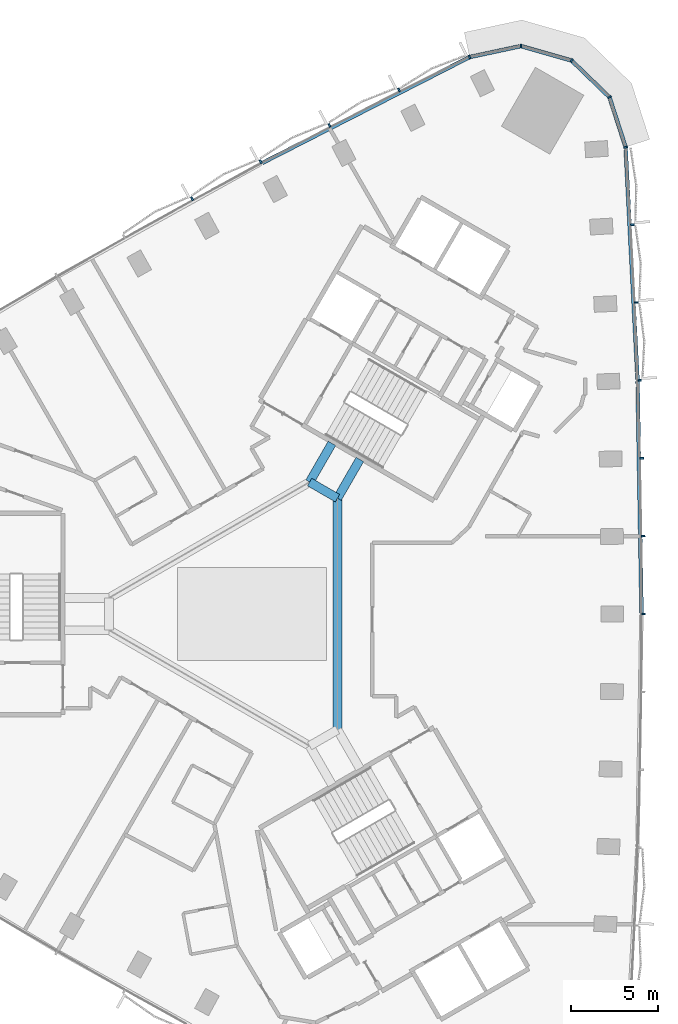
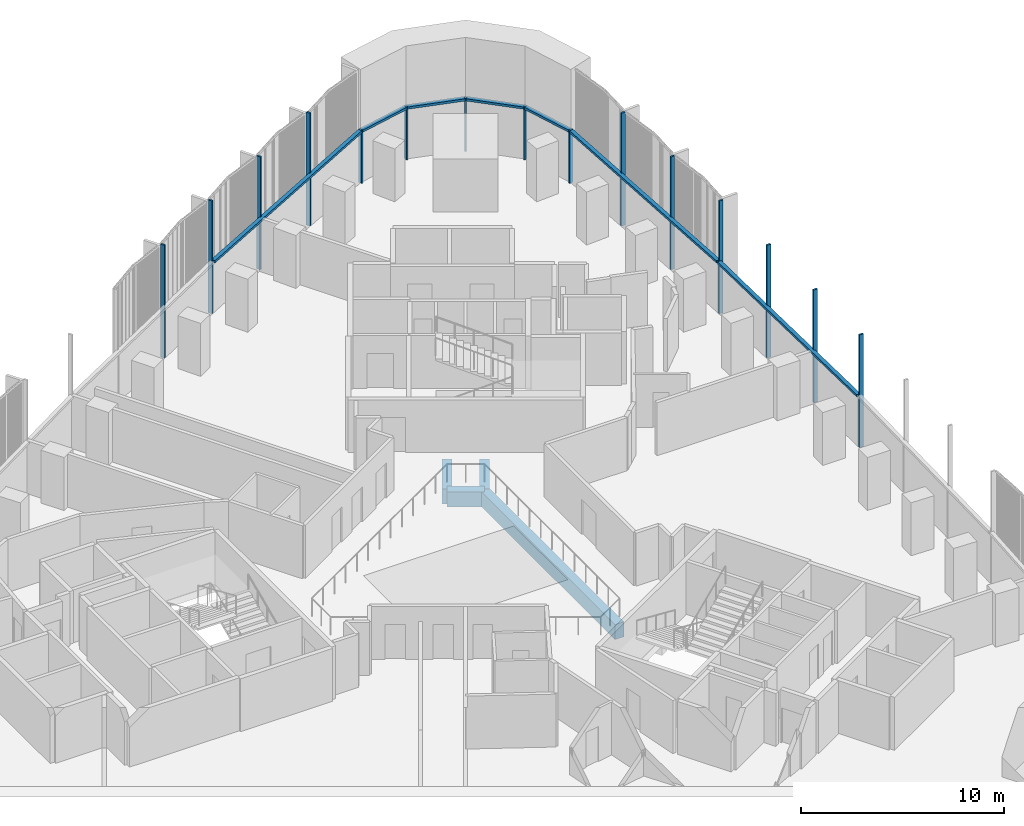
# One storey, part 5 of 15: 22 members, 4 beams, 2 elements without a shape of their own.
"""IFC4 building model written with IfcOpenShell, lengths in metres."""

import ifcopenshell
import ifcopenshell.guid

model = None  # the IFC model being written
_history = None  # IfcOwnerHistory: only IFC2X3 demands one
_inside = {}  # id of a spatial element -> (the spatial element, [elements in it])
_under = {}  # id of a project, library or spatial element -> (it, [spatial elements below it])
_declared = {}  # id of a project -> (the project, [libraries it declares])
_typed = {}  # id of a type object -> (the type object, [elements of that type])
_made_of = {}  # id of a material, layer set ... -> (it, [elements and type objects made of it])


def new_model(schema):
    """Start an empty IFC model of exactly this schema.

    Asked for "IFC4X3", IfcOpenShell would pick the latest addendum, in which some entities
    have other attributes; the version numbers below select the first issue.
    IFC2X3 requires an IfcOwnerHistory on every rooted entity: one is made here for all.
    """
    global model, _history
    if schema == "IFC4X3":
        model = ifcopenshell.file(schema_version=(4, 3, 0, 0))
    else:
        model = ifcopenshell.file(schema=schema)
    _inside.clear()
    _under.clear()
    _declared.clear()
    _typed.clear()
    _made_of.clear()
    _history = None
    if model.schema == "IFC2X3":
        org = make("IfcOrganization", Name="unknown")
        user = make(
            "IfcPersonAndOrganization",
            ThePerson=make("IfcPerson", FamilyName="unknown"),
            TheOrganization=org,
        )
        app = make(
            "IfcApplication",
            ApplicationDeveloper=org,
            Version="unknown",
            ApplicationFullName="unknown",
            ApplicationIdentifier="unknown",
        )
        _history = make(
            "IfcOwnerHistory",
            OwningUser=user,
            OwningApplication=app,
            ChangeAction="ADDED",
            CreationDate=0,
        )
    return model


def make(cls, **values):
    """One entity of the class cls with the attributes given. An attribute that is None is left unset."""
    return model.create_entity(
        cls, **{name: value for name, value in values.items() if value is not None}
    )


def rooted(cls, **values):
    """An entity with a GlobalId (a new one), such as an element, a storey or a relation."""
    return make(cls, GlobalId=ifcopenshell.guid.new(), OwnerHistory=_history, **values)


def si_unit(unit_type, name, prefix=None):
    """IfcSIUnit, for example si_unit("LENGTHUNIT", "METRE", prefix="MILLI")."""
    return make("IfcSIUnit", UnitType=unit_type, Prefix=prefix, Name=name)


def assignment(units):
    """IfcUnitAssignment: the units of a project."""
    return None if units is None else make("IfcUnitAssignment", Units=units)


def point(xyz):
    """IfcCartesianPoint."""
    return None if xyz is None else make("IfcCartesianPoint", Coordinates=xyz)


def direction(xyz):
    """IfcDirection."""
    return None if xyz is None else make("IfcDirection", DirectionRatios=xyz)


def frame(location, z_axis=None, x_axis=None):
    """IfcAxis2Placement3D, a coordinate frame: its origin and axes. An axis left out is left unset."""
    return make(
        "IfcAxis2Placement3D",
        Location=point(location),
        Axis=direction(z_axis),
        RefDirection=direction(x_axis),
    )


def frame_2d(location, x_axis=None):
    """IfcAxis2Placement2D, a coordinate frame in the plane: its origin and x axis."""
    return make(
        "IfcAxis2Placement2D", Location=point(location), RefDirection=direction(x_axis)
    )


def origin():
    """The frame at (0, 0, 0) with its axes left unset."""
    return frame((0.0, 0.0, 0.0))


def origin_2d():
    """The frame at (0, 0) in the plane with its x axis left unset."""
    return frame_2d((0.0, 0.0))


def place(relative_to, where):
    """IfcLocalPlacement: puts the frame where relative to a parent placement (None: the world)."""
    return make(
        "IfcLocalPlacement", PlacementRelTo=relative_to, RelativePlacement=where
    )


def context(
    kind, dimensions, precision=None, world=None, true_north=None, identifier=None
):
    """IfcGeometricRepresentationContext, for example the 3D "Model" context."""
    return make(
        "IfcGeometricRepresentationContext",
        ContextIdentifier=identifier,
        ContextType=kind,
        CoordinateSpaceDimension=dimensions,
        Precision=precision,
        WorldCoordinateSystem=world,
        TrueNorth=true_north,
    )


def subcontext(parent, identifier, kind, view, scale=None):
    """IfcGeometricRepresentationSubContext, for example "Body" below "Model"."""
    return make(
        "IfcGeometricRepresentationSubContext",
        ContextIdentifier=identifier,
        ContextType=kind,
        ParentContext=parent,
        TargetScale=scale,
        TargetView=view,
    )


def project(units=None, contexts=None):
    """IfcProject with its units and contexts."""
    return rooted(
        "IfcProject",
        Name="project",
        RepresentationContexts=contexts,
        UnitsInContext=assignment(units),
    )


def spatial(cls, under=None, at=None, **own):
    """A site, building, storey or space (cls), placed at a placement, below another one or the project."""
    s = rooted(cls, ObjectPlacement=at, **own)
    if under is not None:
        _under.setdefault(under.id(), (under, []))[1].append(s)
    return s


def profile(cls, at=None, kind="AREA", **sizes):
    """A parametric profile (cls). Its sizes go by their IFC names, for example OverallWidth=200.0."""
    return make(cls, ProfileType=kind, Position=at, **sizes)


def rectangle(**sizes):
    """IfcRectangleProfileDef."""
    return profile("IfcRectangleProfileDef", **sizes)


def extrude(swept, where, along, depth):
    """IfcExtrudedAreaSolid: the profile swept, set in the frame where, extruded along a direction by depth."""
    return make(
        "IfcExtrudedAreaSolid",
        SweptArea=swept,
        Position=where,
        ExtrudedDirection=direction(along),
        Depth=depth,
    )


def shape(context_of_items, identifier, shape_type, items):
    """IfcShapeRepresentation: the items that make up one representation, for example the "Body"."""
    return make(
        "IfcShapeRepresentation",
        ContextOfItems=context_of_items,
        RepresentationIdentifier=identifier,
        RepresentationType=shape_type,
        Items=items,
    )


def material(Name=None, Category=None):
    """IfcMaterial."""
    return make("IfcMaterial", Name=Name, Category=Category)


def material_profile(
    of_material, cross_section, Name=None, Category=None, Priority=None
):
    """IfcMaterialProfile: a cross section and its material."""
    return make(
        "IfcMaterialProfile",
        Name=Name,
        Material=of_material,
        Profile=cross_section,
        Priority=Priority,
        Category=Category,
    )


def profile_set(profiles, Name=None, composite=None):
    """IfcMaterialProfileSet."""
    return make(
        "IfcMaterialProfileSet",
        Name=Name,
        MaterialProfiles=profiles,
        CompositeProfile=composite,
    )


def made_of(thing, what):
    """Note that an element or type object is made of a material, layer set ...; save() writes the relation."""
    if what is not None:
        _made_of.setdefault(what.id(), (what, []))[1].append(thing)
    return thing


def type_object(cls, material=None, **own):
    """A type object (cls), such as IfcWallType, which elements share."""
    return made_of(rooted(cls, **own), material)


def element(
    cls,
    number,
    at=None,
    inside=None,
    cuts=None,
    type_object=None,
    material=None,
    context=None,
    identifier="Body",
    shape_type=None,
    held_by="IfcProductDefinitionShape",
    body=None,
    shapes=None,
    **own,
):
    """One element of the class cls, such as IfcWall. Its Tag is "e" and its number.

    at: its placement. inside: the storey or other place that contains it. cuts: it is an
    opening in that element (IfcRelVoidsElement). A single representation is given by context,
    identifier, shape_type and body (its items); several are given by shapes. held_by: the class
    of the entity that holds the representations. save() writes the other relations.
    """
    e = rooted(cls, Tag="e%d" % number, ObjectPlacement=at, **own)
    if body is not None:
        shapes = [shape(context, identifier, shape_type, body)]
    if shapes is not None:
        e.Representation = make(held_by, Representations=shapes)
    if inside is not None:
        _inside.setdefault(inside.id(), (inside, []))[1].append(e)
    if cuts is not None:
        rooted(
            "IfcRelVoidsElement", RelatingBuildingElement=cuts, RelatedOpeningElement=e
        )
    if type_object is not None:
        _typed.setdefault(type_object.id(), (type_object, []))[1].append(e)
    return made_of(e, material)


def aggregate(whole, parts):
    """IfcRelAggregates: a whole, such as a stair, and the parts it consists of."""
    return rooted("IfcRelAggregates", RelatingObject=whole, RelatedObjects=parts)


def save(model, path):
    """Write the relations noted so far, then the file.

    IfcRelAggregates (storeys below a building ...), IfcRelContainedInSpatialStructure (elements
    in a storey), IfcRelDefinesByType, IfcRelAssociatesMaterial and IfcRelDeclares: one each for
    every whole, place, type object, material and project.
    """
    for whole, parts in _under.values():
        aggregate(whole, parts)
    for where, things in _inside.values():
        rooted(
            "IfcRelContainedInSpatialStructure",
            RelatedElements=things,
            RelatingStructure=where,
        )
    for kind, things in _typed.values():
        rooted("IfcRelDefinesByType", RelatedObjects=things, RelatingType=kind)
    for what, things in _made_of.values():
        rooted("IfcRelAssociatesMaterial", RelatedObjects=things, RelatingMaterial=what)
    for by, libraries in _declared.values():
        rooted("IfcRelDeclares", RelatingContext=by, RelatedDefinitions=libraries)
    model.write(path)


model = new_model("IFC4")

# Units and contexts
model_context = context("Model", 3, precision=1e-05, world=origin(), true_north=direction((0.0, 1.0)))
body_context = subcontext(model_context, "Body", "Model", "MODEL_VIEW")
ifc_project = project(units=[si_unit("LENGTHUNIT", "METRE"), si_unit("AREAUNIT", "SQUARE_METRE"), si_unit("VOLUMEUNIT", "CUBIC_METRE"), si_unit("PLANEANGLEUNIT", "RADIAN"), si_unit("MASSUNIT", "GRAM", prefix="KILO")], contexts=[model_context])

# Site, building, storey
site_placement = place(None, origin())
site = spatial("IfcSite", under=ifc_project, at=site_placement, CompositionType="ELEMENT")
building_placement = place(site_placement, origin())
building = spatial("IfcBuilding", under=site, at=building_placement, Name="Tamra Quay Hotel Tower", CompositionType="ELEMENT")
storey_placement = place(building_placement, frame((0.0, 0.0, 79.39990234375)))
storey = spatial("IfcBuildingStorey", under=building, at=storey_placement, Name="L18", CompositionType="ELEMENT", Elevation=79.39990234375)

# Beams
ifc_material_1 = material(Name="Concrete M60", Category="concrete")
ifc_material_profile_1 = material_profile(ifc_material_1, rectangle(XDim=0.5, YDim=0.89990234375, at=origin_2d()), Name="ATRIUM EDGE BEAM RC 500x900")
ifc_profile_set_1 = profile_set([ifc_material_profile_1], Name="Concrete M60")
beam_type_1 = type_object("IfcBeamType", Name="ATRIUM EDGE BEAM RC 500x900", PredefinedType="BEAM", material=ifc_profile_set_1)
beam_1_placement = place(storey_placement, frame((4.89990234375, 6.639404296875, -0.875), z_axis=(0.0, -1.0, 0.0), x_axis=(1.0, 0.0, 0.0)))
element("IfcBeam", 1, at=beam_1_placement, inside=storey, type_object=beam_type_1, Name="BM-AB0-L18", PredefinedType="BEAM", context=body_context, shape_type="SweptSolid", body=[
    extrude(rectangle(XDim=0.5, YDim=0.89990234375, at=origin_2d()), origin(), (0.0, 0.0, 1.0), 13.27880859375),
])
beam_2_placement = place(storey_placement, frame((3.300048828125, 7.563232421875, -0.875), z_axis=(0.865989712182, -0.500061814573, 0.0), x_axis=(0.500061814573, 0.865989712182, 0.0)))
element("IfcBeam", 2, at=beam_2_placement, inside=storey, type_object=beam_type_1, Name="BM-AB5-L18", PredefinedType="BEAM", context=body_context, shape_type="SweptSolid", body=[
    extrude(rectangle(XDim=0.5, YDim=0.89990234375, at=origin_2d()), origin(), (0.0, 0.0, 1.0), 1.847412109375),
])
ifc_material_profile_2 = material_profile(ifc_material_1, rectangle(XDim=0.5, YDim=0.89990234375, at=origin_2d()), Name="ATRIUM TIE BEAM RC 500x900")
ifc_profile_set_2 = profile_set([ifc_material_profile_2], Name="Concrete M60")
beam_type_2 = type_object("IfcBeamType", Name="ATRIUM TIE BEAM RC 500x900", PredefinedType="BEAM", material=ifc_profile_set_2)
for number, where, z_axis, x_axis, name in (
    (3, (4.89990234375, 6.639404296875, -0.875), (0.50003311468, 0.866006284171, 0.0), (-0.866006284171, 0.50003311468, 0.0), "BM-TIE-0-L18"),
    (4, (3.300048828125, 7.563232421875, -0.875), (0.499961652204, 0.866047542763, 0.0), (-0.866047542763, 0.499961652204, 0.0), "BM-TIE-5-L18"),
):
    element("IfcBeam", number, at=place(storey_placement, frame(where, z_axis=z_axis, x_axis=x_axis)), inside=storey, type_object=beam_type_2, Name=name, PredefinedType="BEAM", context=body_context, shape_type="SweptSolid", body=[
        extrude(rectangle(XDim=0.5, YDim=0.89990234375, at=origin_2d()), origin(), (0.0, 0.0, 1.0), 2.562255859375),
    ])

# Curtain wall, members
ifc_material_2 = material(Name="Aluminium 6063 anodised dark grey", Category="aluminium")
curtain_wall_type_1 = type_object("IfcCurtainWallType", Name="CW1 CURTAIN WALL", PredefinedType="NOTDEFINED", material=ifc_material_2)
curtain_wall_1_placement = place(storey_placement, origin())
curtain_wall_1 = element("IfcCurtainWall", 5, at=curtain_wall_1_placement, inside=storey, type_object=curtain_wall_type_1, Name="CW1 east face L18", PredefinedType="NOTDEFINED")
ifc_material_profile_3 = material_profile(ifc_material_2, rectangle(XDim=0.219970703125, YDim=0.10009765625, at=origin_2d()), Name="MULLION 100X220")
ifc_profile_set_3 = profile_set([ifc_material_profile_3], Name="Aluminium 6063 anodised dark grey")
member_type_1 = type_object("IfcMemberType", Name="MULLION CW1 Z2", PredefinedType="MULLION", material=ifc_profile_set_3)
member_1_placement = place(storey_placement, frame((22.44287109375, 0.0, 0.0), z_axis=(0.0, 0.0, 1.0), x_axis=(1.0, 0.0, 0.0)))
member_1 = element("IfcMember", 6, at=member_1_placement, type_object=member_type_1, Name="CW1 mullion L18.E.7", PredefinedType="MULLION", context=body_context, shape_type="SweptSolid", body=[
    extrude(rectangle(XDim=0.219970703125, YDim=0.10009765625, at=origin_2d()), origin(), (0.0, 0.0, 1.0), 6.775146484375),
])
member_2_placement = place(storey_placement, frame((22.41748046875, 4.465087890625, 0.0), z_axis=(0.0, 0.0, 1.0), x_axis=(0.999934749978, 0.011423475244, 0.0)))
member_2 = element("IfcMember", 7, at=member_2_placement, type_object=member_type_1, Name="CW1 mullion L18.E.8", PredefinedType="MULLION", context=body_context, shape_type="SweptSolid", body=[
    extrude(rectangle(XDim=0.219970703125, YDim=0.10009765625, at=origin_2d()), origin(), (0.0, 0.0, 1.0), 6.775146484375),
])
member_3_placement = place(storey_placement, frame((22.341064453125, 8.9296875, 0.0), z_axis=(0.0, 0.0, 1.0), x_axis=(0.99973912308, 0.022840441834, 0.0)))
member_3 = element("IfcMember", 8, at=member_3_placement, type_object=member_type_1, Name="CW1 mullion L18.E.9", PredefinedType="MULLION", context=body_context, shape_type="SweptSolid", body=[
    extrude(rectangle(XDim=0.219970703125, YDim=0.10009765625, at=origin_2d()), origin(), (0.0, 0.0, 1.0), 6.775146484375),
])
member_4_placement = place(storey_placement, frame((22.21337890625, 13.39306640625, 0.0), z_axis=(0.0, 0.0, 1.0), x_axis=(0.999413449002, 0.034245553786, 0.0)))
member_4 = element("IfcMember", 9, at=member_4_placement, type_object=member_type_1, Name="CW1 mullion L18.E.10", PredefinedType="MULLION", context=body_context, shape_type="SweptSolid", body=[
    extrude(rectangle(XDim=0.219970703125, YDim=0.10009765625, at=origin_2d()), origin(), (0.0, 0.0, 1.0), 6.775146484375),
])
member_5_placement = place(storey_placement, frame((22.03515625, 17.854736328125, 0.0), z_axis=(0.0, 0.0, 1.0), x_axis=(0.99895827695, 0.045632892877, 0.0)))
member_5 = element("IfcMember", 10, at=member_5_placement, type_object=member_type_1, Name="CW1 mullion L18.E.11", PredefinedType="MULLION", context=body_context, shape_type="SweptSolid", body=[
    extrude(rectangle(XDim=0.219970703125, YDim=0.10009765625, at=origin_2d()), origin(), (0.0, 0.0, 1.0), 6.775146484375),
])
member_6_placement = place(storey_placement, frame((21.805908203125, 22.31396484375, 0.0), z_axis=(0.0, 0.0, 1.0), x_axis=(0.998374392499, 0.056996249012, 0.0)))
member_6 = element("IfcMember", 11, at=member_6_placement, type_object=member_type_1, Name="CW1 mullion L18.E.12", PredefinedType="MULLION", context=body_context, shape_type="SweptSolid", body=[
    extrude(rectangle(XDim=0.219970703125, YDim=0.10009765625, at=origin_2d()), origin(), (0.0, 0.0, 1.0), 6.775146484375),
])
member_7_placement = place(storey_placement, frame((21.41650390625, 26.762451171875, 0.0), z_axis=(0.0, 0.0, 1.0), x_axis=(0.982419074219, 0.18668894614, 0.0)))
member_7 = element("IfcMember", 12, at=member_7_placement, type_object=member_type_1, Name="CW1 mullion L18.E.13", PredefinedType="MULLION", context=body_context, shape_type="SweptSolid", body=[
    extrude(rectangle(XDim=0.219970703125, YDim=0.10009765625, at=origin_2d()), origin(), (0.0, 0.0, 1.0), 3.175048828125),
])
member_8_placement = place(storey_placement, frame((20.488037109375, 29.6328125, 0.0), z_axis=(0.0, 0.0, 1.0), x_axis=(0.848503146373, 0.529190334941, 0.0)))
member_8 = element("IfcMember", 13, at=member_8_placement, type_object=member_type_1, Name="CW1 mullion L18.E.14", PredefinedType="MULLION", context=body_context, shape_type="SweptSolid", body=[
    extrude(rectangle(XDim=0.219970703125, YDim=0.10009765625, at=origin_2d()), origin(), (0.0, 0.0, 1.0), 3.175048828125),
])
member_9_placement = place(storey_placement, frame((18.31884765625, 31.729248046875, 0.0), z_axis=(0.0, 0.0, 1.0), x_axis=(0.5, 0.866025403784, 0.0)))
member_9 = element("IfcMember", 14, at=member_9_placement, type_object=member_type_1, Name="CW1 mullion L18.E.15", PredefinedType="MULLION", context=body_context, shape_type="SweptSolid", body=[
    extrude(rectangle(XDim=0.219970703125, YDim=0.10009765625, at=origin_2d()), origin(), (0.0, 0.0, 1.0), 3.175048828125),
])
member_10_placement = place(storey_placement, frame((15.418701171875, 32.559326171875, 0.0), z_axis=(0.0, 0.0, 1.0), x_axis=(0.03404070031, 0.999420447421, 0.0)))
member_10 = element("IfcMember", 15, at=member_10_placement, type_object=member_type_1, Name="CW1 mullion L18.E.16", PredefinedType="MULLION", context=body_context, shape_type="SweptSolid", body=[
    extrude(rectangle(XDim=0.219970703125, YDim=0.10009765625, at=origin_2d()), origin(), (0.0, 0.0, 1.0), 3.175048828125),
])

curtain_wall_type_2 = type_object("IfcCurtainWallType", Name="CW2 CURTAIN WALL", PredefinedType="NOTDEFINED", material=ifc_material_2)
curtain_wall_2_placement = place(storey_placement, origin())
curtain_wall_2 = element("IfcCurtainWall", 16, at=curtain_wall_2_placement, inside=storey, type_object=curtain_wall_type_2, Name="CW2 north-west face L18", PredefinedType="NOTDEFINED")
ifc_material_profile_4 = material_profile(ifc_material_2, rectangle(XDim=0.219970703125, YDim=0.10009765625, at=origin_2d()), Name="MULLION 100X220")
ifc_profile_set_4 = profile_set([ifc_material_profile_4], Name="Aluminium 6063 anodised dark grey")
member_type_2 = type_object("IfcMemberType", Name="MULLION CW2 Z2", PredefinedType="MULLION", material=ifc_profile_set_4)
member_11_placement = place(storey_placement, frame((12.46875, 31.928466796875, 0.0), z_axis=(0.0, 0.0, 1.0), x_axis=(-0.329532167147, 0.944144348506, 0.0)))
member_11 = element("IfcMember", 17, at=member_11_placement, type_object=member_type_2, Name="CW2 mullion L18.NW.1", PredefinedType="MULLION", context=body_context, shape_type="SweptSolid", body=[
    extrude(rectangle(XDim=0.219970703125, YDim=0.10009765625, at=origin_2d()), origin(), (0.0, 0.0, 1.0), 3.175048828125),
])
member_12_placement = place(storey_placement, frame((8.421630859375, 30.04150390625, 0.0), z_axis=(0.0, 0.0, 1.0), x_axis=(-0.449826996685, 0.893115710899, 0.0)))
member_12 = element("IfcMember", 18, at=member_12_placement, type_object=member_type_2, Name="CW2 mullion L18.NW.2", PredefinedType="MULLION", context=body_context, shape_type="SweptSolid", body=[
    extrude(rectangle(XDim=0.219970703125, YDim=0.10009765625, at=origin_2d()), origin(), (0.0, 0.0, 1.0), 6.775146484375),
])
member_13_placement = place(storey_placement, frame((4.445068359375, 28.01025390625, 0.0), z_axis=(0.0, 0.0, 1.0), x_axis=(-0.459959893996, 0.887939691598, 0.0)))
member_13 = element("IfcMember", 19, at=member_13_placement, type_object=member_type_2, Name="CW2 mullion L18.NW.3", PredefinedType="MULLION", context=body_context, shape_type="SweptSolid", body=[
    extrude(rectangle(XDim=0.219970703125, YDim=0.10009765625, at=origin_2d()), origin(), (0.0, 0.0, 1.0), 6.775146484375),
])
member_14_placement = place(storey_placement, frame((0.491943359375, 25.93408203125, 0.0), z_axis=(0.0, 0.0, 1.0), x_axis=(-0.470049204955, 0.882640212613, 0.0)))
member_14 = element("IfcMember", 20, at=member_14_placement, type_object=member_type_2, Name="CW2 mullion L18.NW.4", PredefinedType="MULLION", context=body_context, shape_type="SweptSolid", body=[
    extrude(rectangle(XDim=0.219970703125, YDim=0.10009765625, at=origin_2d()), origin(), (0.0, 0.0, 1.0), 6.775146484375),
])
member_15_placement = place(storey_placement, frame((-3.43701171875, 23.812744140625, 0.0), z_axis=(0.0, 0.0, 1.0), x_axis=(-0.480089158678, 0.877219698662, 0.0)))
member_15 = element("IfcMember", 21, at=member_15_placement, type_object=member_type_2, Name="CW2 mullion L18.NW.5", PredefinedType="MULLION", context=body_context, shape_type="SweptSolid", body=[
    extrude(rectangle(XDim=0.219970703125, YDim=0.10009765625, at=origin_2d()), origin(), (0.0, 0.0, 1.0), 6.775146484375),
])

# Member
ifc_material_profile_5 = material_profile(ifc_material_2, rectangle(XDim=0.219970703125, YDim=0.139892578125, at=origin_2d()), Name="TRANSOM 220X140")
ifc_profile_set_5 = profile_set([ifc_material_profile_5], Name="Aluminium 6063 anodised dark grey")
member_type_3 = type_object("IfcMemberType", Name="TRANSOM CW1 Z2", PredefinedType="USERDEFINED", material=ifc_profile_set_5)
member_16_placement = place(storey_placement, frame((22.332763671875, 0.050048828125, 3.10498046875), z_axis=(-0.017137820377, 0.999853136772, 0.0), x_axis=(-0.999853136772, -0.017137820377, 0.0)))
member_16 = element("IfcMember", 22, at=member_16_placement, type_object=member_type_3, Name="CW1 transom L18.E.7", ObjectType="TRANSOM", PredefinedType="USERDEFINED", context=body_context, shape_type="SweptSolid", body=[
    extrude(rectangle(XDim=0.219970703125, YDim=0.139892578125, at=origin_2d()), origin(), (0.0, 0.0, 1.0), 13.291259765625),
])

member_17_placement = place(storey_placement, frame((22.1015625, 13.439208984375, 3.10498046875), z_axis=(-0.051322797132, 0.998682116839, 0.0), x_axis=(-0.998682116839, -0.051322797132, 0.0)))
member_17 = element("IfcMember", 23, at=member_17_placement, type_object=member_type_3, Name="CW1 transom L18.E.10", ObjectType="TRANSOM", PredefinedType="USERDEFINED", context=body_context, shape_type="SweptSolid", body=[
    extrude(rectangle(XDim=0.219970703125, YDim=0.139892578125, at=origin_2d()), origin(), (0.0, 0.0, 1.0), 13.291015625),
])

member_18_placement = place(storey_placement, frame((21.401123046875, 26.81005859375, 3.10498046875), z_axis=(-0.307777941734, 0.95145821694, 0.0), x_axis=(-0.95145821694, -0.307777941734, 0.0)))
member_18 = element("IfcMember", 24, at=member_18_placement, type_object=member_type_3, Name="CW1 transom L18.E.13", ObjectType="TRANSOM", PredefinedType="USERDEFINED", context=body_context, shape_type="SweptSolid", body=[
    extrude(rectangle(XDim=0.219970703125, YDim=0.139892578125, at=origin_2d()), origin(), (0.0, 0.0, 1.0), 2.916748046875),
])

member_19_placement = place(storey_placement, frame((20.451904296875, 29.66748046875, 3.10498046875), z_axis=(-0.719058089649, 0.694949972092, 0.0), x_axis=(-0.694949972092, -0.719058089649, 0.0)))
member_19 = element("IfcMember", 25, at=member_19_placement, type_object=member_type_3, Name="CW1 transom L18.E.14", ObjectType="TRANSOM", PredefinedType="USERDEFINED", context=body_context, shape_type="SweptSolid", body=[
    extrude(rectangle(XDim=0.219970703125, YDim=0.139892578125, at=origin_2d()), origin(), (0.0, 0.0, 1.0), 2.91650390625),
])

member_20_placement = place(storey_placement, frame((18.270751953125, 31.742919921875, 3.10498046875), z_axis=(-0.961378509885, 0.275229650893, 0.0), x_axis=(-0.275229650893, -0.961378509885, 0.0)))
member_20 = element("IfcMember", 26, at=member_20_placement, type_object=member_type_3, Name="CW1 transom L18.E.15", ObjectType="TRANSOM", PredefinedType="USERDEFINED", context=body_context, shape_type="SweptSolid", body=[
    extrude(rectangle(XDim=0.219970703125, YDim=0.139892578125, at=origin_2d()), origin(), (0.0, 0.0, 1.0), 2.91650390625),
])

member_21_placement = place(storey_placement, frame((15.369873046875, 32.549072265625, 3.10498046875), z_axis=(-0.97787585355, -0.209186077557, 0.0), x_axis=(0.209186077557, -0.97787585355, 0.0)))
member_21 = element("IfcMember", 27, at=member_21_placement, type_object=member_type_3, Name="CW1 transom L18.E.16", ObjectType="TRANSOM", PredefinedType="USERDEFINED", context=body_context, shape_type="SweptSolid", body=[
    extrude(rectangle(XDim=0.219970703125, YDim=0.139892578125, at=origin_2d()), origin(), (0.0, 0.0, 1.0), 2.91650390625),
])

aggregate(curtain_wall_1, [member_1, member_16, member_2, member_3, member_4, member_17, member_5, member_6, member_7, member_18, member_8, member_19, member_9, member_20, member_10, member_21])

ifc_material_profile_6 = material_profile(ifc_material_2, rectangle(XDim=0.219970703125, YDim=0.139892578125, at=origin_2d()), Name="TRANSOM 220X140")
ifc_profile_set_6 = profile_set([ifc_material_profile_6], Name="Aluminium 6063 anodised dark grey")
member_type_4 = type_object("IfcMemberType", Name="TRANSOM CW2 Z2", PredefinedType="USERDEFINED", material=ifc_profile_set_6)
member_22_placement = place(storey_placement, frame((12.424072265625, 31.90625, 3.10498046875), z_axis=(-0.89053639512, -0.454912001344, 0.0), x_axis=(0.454912001344, -0.89053639512, 0.0)))
member_22 = element("IfcMember", 28, at=member_22_placement, type_object=member_type_4, Name="CW2 transom L18.NW.1", ObjectType="TRANSOM", PredefinedType="USERDEFINED", context=body_context, shape_type="SweptSolid", body=[
    extrude(rectangle(XDim=0.219970703125, YDim=0.139892578125, at=origin_2d()), origin(), (0.0, 0.0, 1.0), 13.290771484375),
])

aggregate(curtain_wall_2, [member_11, member_22, member_12, member_13, member_14, member_15])

save(model, "model.ifc")
